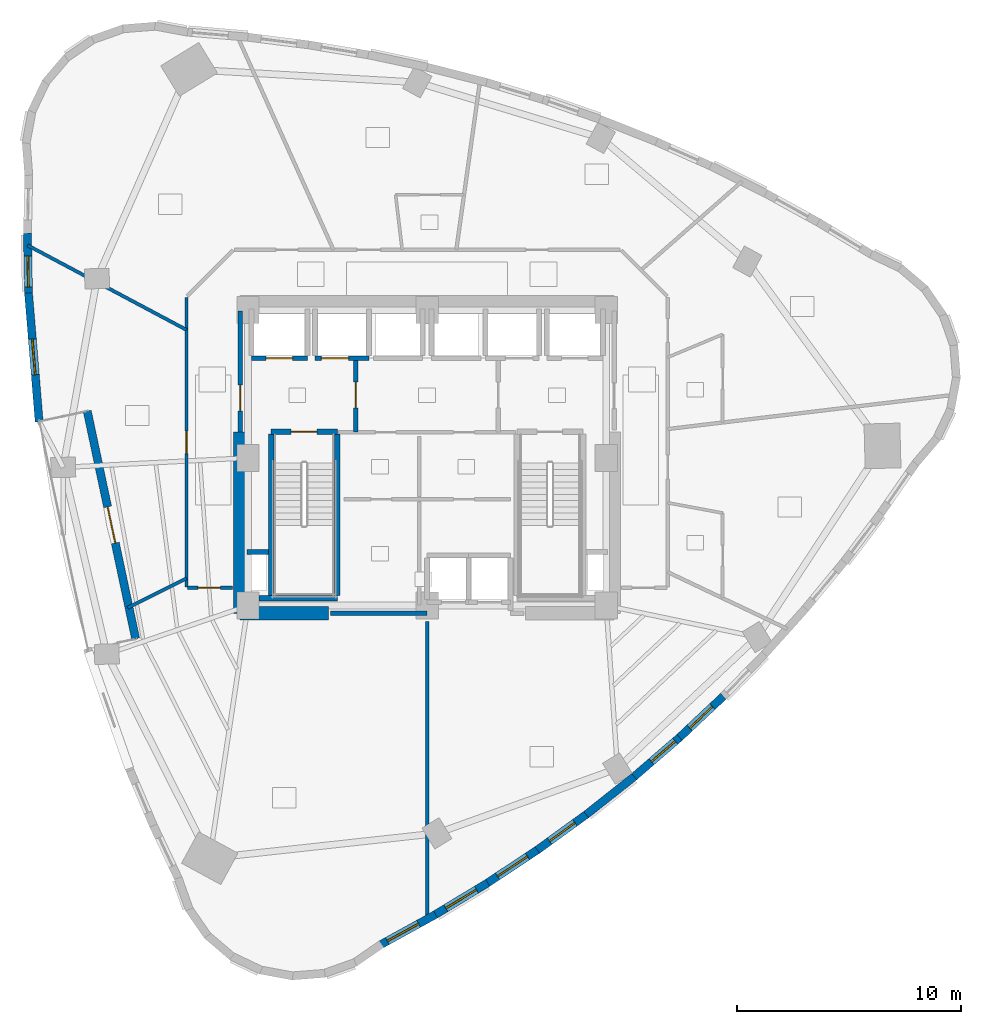
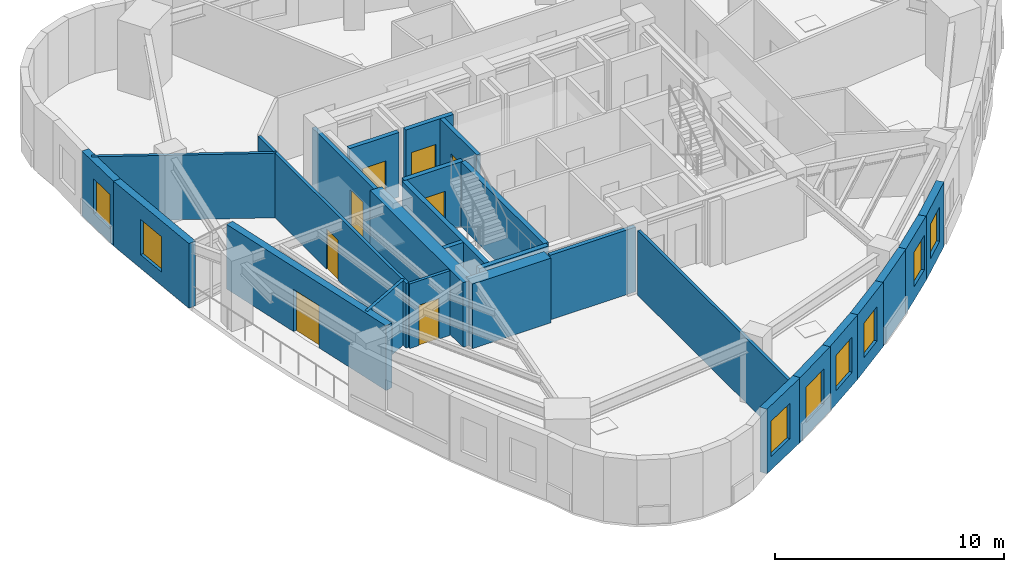
# One storey, part 6 of 12: 27 walls, 8 doors, 8 windows, 16 openings.
"""IFC4 building model written with IfcOpenShell, lengths in metres."""

from ifc_helpers import new_model, si_unit, direction, frame, frame_2d, origin, place, context, subcontext, project, spatial, rectangle, extrude, material, layer, layer_set, type_object, element, fill, save


model = new_model("IFC4")

# Units and contexts
model_context = context("Model", 3, precision=1e-05, world=origin(), true_north=direction((0.0, 1.0)))
body_context = subcontext(model_context, "Body", "Model", "MODEL_VIEW")
ifc_project = project(units=[si_unit("LENGTHUNIT", "METRE"), si_unit("AREAUNIT", "SQUARE_METRE"), si_unit("VOLUMEUNIT", "CUBIC_METRE"), si_unit("PLANEANGLEUNIT", "RADIAN"), si_unit("MASSUNIT", "GRAM", prefix="KILO")], contexts=[model_context])

# Site, building, storey
site_placement = place(None, origin())
site = spatial("IfcSite", under=ifc_project, at=site_placement, CompositionType="ELEMENT")
building_placement = place(site_placement, origin())
building = spatial("IfcBuilding", under=site, at=building_placement, Name="Ndelora Gate Hotel", CompositionType="ELEMENT")
storey_placement = place(building_placement, frame((0.0, 0.0, 164.75)))
storey = spatial("IfcBuildingStorey", under=building, at=storey_placement, Name="L41", CompositionType="ELEMENT", Elevation=164.75)

# Wall, opening, door
ifc_material_1 = material(Name="Clay Brick Masonry", Category="masonry")
ifc_layer_1 = layer(ifc_material_1, 0.360107421875)
ifc_layer_set_1 = layer_set([ifc_layer_1], Name="Clay Brick Masonry")
wall_type_1 = type_object("IfcWallType", Name="WL-BRICK-360", PredefinedType="SOLIDWALL", material=ifc_layer_set_1)
wall_1_placement = place(storey_placement, frame((-13.01953125, -8.08349609375, 0.0), z_axis=(0.0, 0.0, 1.0), x_axis=(-0.207898343446, 0.97815043771, 0.0)))
wall_1 = element("IfcWall", 1, at=wall_1_placement, inside=storey, type_object=wall_type_1, Name="L41 Sky-Garden Loggia Rear Brick Wall", PredefinedType="SOLIDWALL", context=body_context, shape_type="SweptSolid", body=[
    extrude(rectangle(XDim=10.39990234375, YDim=0.360107421875, at=frame_2d((5.199951171875, 0.0))), origin(), (0.0, 0.0, 1.0), 3.43994140625),
])
opening_1_placement = place(wall_1_placement, frame((4.375, 0.0, 0.0)))
opening_1 = element("IfcOpeningElement", 2, at=opening_1_placement, cuts=wall_1, Name="Opening TD1", PredefinedType="OPENING", context=body_context, shape_type="SweptSolid", body=[
    extrude(rectangle(XDim=1.64990234375, YDim=2.25, at=frame_2d((0.824951171875, 1.125))), frame((0.0, 0.18994140625, 0.0), z_axis=(0.0, -1.0, 0.0), x_axis=(1.0, 0.0, 0.0)), (0.0, 0.0, 1.0), 0.380126953125),
])
ifc_material_2 = material(Name="Architectural Bronze Glazed Door", Category="metal")
door_type_1 = type_object("IfcDoorType", Name="DR-TER-1650", OperationType="DOUBLE_DOOR_SINGLE_SWING", PredefinedType="DOOR", material=ifc_material_2)
door_1_placement = place(opening_1_placement, origin())
door_1 = element("IfcDoor", 3, at=door_1_placement, inside=storey, type_object=door_type_1, Name="L41 Sky-Garden Terrace Double Door TD1", OperationType="DOUBLE_DOOR_SINGLE_SWING", OverallHeight=2.25, OverallWidth=1.64990234375, PredefinedType="DOOR", context=body_context, shape_type="SweptSolid", body=[
    extrude(rectangle(XDim=1.64990234375, YDim=2.25, at=frame_2d((0.824951171875, 1.125))), frame((0.0, 0.02490234375, 0.0), z_axis=(0.0, -1.0, 0.0), x_axis=(1.0, 0.0, 0.0)), (0.0, 0.0, 1.0), 0.050048828125),
])
fill(opening_1, door_1)

# Wall, opening, window
wall_2_placement = place(storey_placement, frame((-17.807373046875, 7.3642578125, 0.0), z_axis=(0.0, 0.0, 1.0), x_axis=(-0.017833073331, 0.999840978104, 0.0)))
wall_2 = element("IfcWall", 4, at=wall_2_placement, inside=storey, type_object=wall_type_1, Name="L41 Tower Brick Pier-and-Spandrel Wall TWR-10", PredefinedType="SOLIDWALL", context=body_context, shape_type="SweptSolid", body=[
    extrude(rectangle(XDim=2.669677734375, YDim=0.360107421875, at=frame_2d((1.3349609375, 0.0))), origin(), (0.0, 0.0, 1.0), 3.43994140625),
])
opening_2_placement = place(wall_2_placement, frame((0.260009765625, 0.0, 0.719970703125)))
opening_2 = element("IfcOpeningElement", 5, at=opening_2_placement, cuts=wall_2, Name="Opening W02", PredefinedType="OPENING", context=body_context, shape_type="SweptSolid", body=[
    extrude(rectangle(XDim=1.39990234375, YDim=1.840087890625, at=frame_2d((0.699951171875, 0.919921875))), frame((0.0, 0.18994140625, 0.0), z_axis=(0.0, -1.0, 0.0), x_axis=(1.0, 0.0, 0.0)), (0.0, 0.0, 1.0), 0.380126953125),
])
ifc_material_3 = material(Name="Insulated Low-E Double Glazing in Bronze Aluminium Frame", Category="aluminium")
window_type_1 = type_object("IfcWindowType", Name="WN-DEEP-1400", PartitioningType="SINGLE_PANEL", PredefinedType="WINDOW", material=ifc_material_3)
window_1_placement = place(opening_2_placement, origin())
window_1 = element("IfcWindow", 6, at=window_1_placement, inside=storey, type_object=window_type_1, Name="L41 Deep-Set Brick-Pier Window W02", OverallHeight=1.840087890625, OverallWidth=1.39990234375, PartitioningType="SINGLE_PANEL", PredefinedType="WINDOW", context=body_context, shape_type="SweptSolid", body=[
    extrude(rectangle(XDim=1.39990234375, YDim=1.840087890625, at=frame_2d((0.699951171875, 0.919921875))), frame((0.0, 0.030029296875, 0.0), z_axis=(0.0, -1.0, 0.0), x_axis=(1.0, 0.0, 0.0)), (0.0, 0.0, 1.0), 0.06005859375),
])
fill(opening_2, window_1)

wall_3_placement = place(storey_placement, frame((-17.33154296875, 1.60693359375, 0.0), z_axis=(0.0, 0.0, 1.0), x_axis=(-0.082081459556, 0.996625623791, 0.0)))
wall_3 = element("IfcWall", 7, at=wall_3_placement, inside=storey, type_object=wall_type_1, Name="L41 Tower Brick Pier-and-Spandrel Wall TWR-11", PredefinedType="SOLIDWALL", context=body_context, shape_type="SweptSolid", body=[
    extrude(rectangle(XDim=5.826904296875, YDim=0.360107421875, at=frame_2d((2.91357421875, 0.0))), origin(), (0.0, 0.0, 1.0), 3.43994140625),
])
opening_3_placement = place(wall_3_placement, frame((2.11328125, 0.0, 0.719970703125)))
opening_3 = element("IfcOpeningElement", 8, at=opening_3_placement, cuts=wall_3, Name="Opening W01", PredefinedType="OPENING", context=body_context, shape_type="SweptSolid", body=[
    extrude(rectangle(XDim=1.60009765625, YDim=1.8798828125, at=frame_2d((0.800048828125, 0.93994140625))), frame((0.0, 0.18994140625, 0.0), z_axis=(0.0, -1.0, 0.0), x_axis=(1.0, 0.0, 0.0)), (0.0, 0.0, 1.0), 0.380126953125),
])
window_type_2 = type_object("IfcWindowType", Name="WN-DEEP-1600", PartitioningType="SINGLE_PANEL", PredefinedType="WINDOW", material=ifc_material_3)
window_2_placement = place(opening_3_placement, origin())
window_2 = element("IfcWindow", 9, at=window_2_placement, inside=storey, type_object=window_type_2, Name="L41 Deep-Set Brick-Pier Window W01", OverallHeight=1.8798828125, OverallWidth=1.60009765625, PartitioningType="SINGLE_PANEL", PredefinedType="WINDOW", context=body_context, shape_type="SweptSolid", body=[
    extrude(rectangle(XDim=1.60009765625, YDim=1.8798828125, at=frame_2d((0.800048828125, 0.93994140625))), frame((0.0, 0.030029296875, 0.0), z_axis=(0.0, -1.0, 0.0), x_axis=(1.0, 0.0, 0.0)), (0.0, 0.0, 1.0), 0.06005859375),
])
fill(opening_3, window_2)

wall_4_placement = place(storey_placement, frame((0.376708984375, -20.400146484375, 0.0), z_axis=(0.0, 0.0, 1.0), x_axis=(-0.875996842893, -0.482316836988, 0.0)))
wall_4 = element("IfcWall", 10, at=wall_4_placement, inside=storey, type_object=wall_type_1, Name="L41 Tower Brick Pier-and-Spandrel Wall TWR-27", PredefinedType="SOLIDWALL", context=body_context, shape_type="SweptSolid", body=[
    extrude(rectangle(XDim=2.80126953125, YDim=0.360107421875, at=frame_2d((1.400634765625, 0.0))), origin(), (0.0, 0.0, 1.0), 3.43994140625),
])
opening_4_placement = place(wall_4_placement, frame((0.860107421875, 0.0, 0.719970703125)))
opening_4 = element("IfcOpeningElement", 11, at=opening_4_placement, cuts=wall_4, Name="Opening W01", PredefinedType="OPENING", context=body_context, shape_type="SweptSolid", body=[
    extrude(rectangle(XDim=1.60009765625, YDim=1.8798828125, at=frame_2d((0.800048828125, 0.93994140625))), frame((0.0, 0.18994140625, 0.0), z_axis=(0.0, -1.0, 0.0), x_axis=(1.0, 0.0, 0.0)), (0.0, 0.0, 1.0), 0.380126953125),
])
window_3_placement = place(opening_4_placement, origin())
window_3 = element("IfcWindow", 12, at=window_3_placement, inside=storey, type_object=window_type_2, Name="L41 Deep-Set Brick-Pier Window W01", OverallHeight=1.8798828125, OverallWidth=1.60009765625, PartitioningType="SINGLE_PANEL", PredefinedType="WINDOW", context=body_context, shape_type="SweptSolid", body=[
    extrude(rectangle(XDim=1.60009765625, YDim=1.8798828125, at=frame_2d((0.800048828125, 0.93994140625))), frame((0.0, 0.030029296875, 0.0), z_axis=(0.0, -1.0, 0.0), x_axis=(1.0, 0.0, 0.0)), (0.0, 0.0, 1.0), 0.06005859375),
])
fill(opening_4, window_3)

wall_5_placement = place(storey_placement, frame((2.7099609375, -18.987548828125, 0.0), z_axis=(0.0, 0.0, 1.0), x_axis=(-0.855665001601, -0.517530100609, 0.0)))
wall_5 = element("IfcWall", 13, at=wall_5_placement, inside=storey, type_object=wall_type_1, Name="L41 Tower Brick Pier-and-Spandrel Wall TWR-28", PredefinedType="SOLIDWALL", context=body_context, shape_type="SweptSolid", body=[
    extrude(rectangle(XDim=2.777587890625, YDim=0.360107421875, at=frame_2d((1.388671875, 0.0))), origin(), (0.0, 0.0, 1.0), 3.43994140625),
])
opening_5_placement = place(wall_5_placement, frame((0.5888671875, 0.0, 0.719970703125)))
opening_5 = element("IfcOpeningElement", 14, at=opening_5_placement, cuts=wall_5, Name="Opening W01", PredefinedType="OPENING", context=body_context, shape_type="SweptSolid", body=[
    extrude(rectangle(XDim=1.60009765625, YDim=1.8798828125, at=frame_2d((0.800048828125, 0.93994140625))), frame((0.0, 0.18994140625, 0.0), z_axis=(0.0, -1.0, 0.0), x_axis=(1.0, 0.0, 0.0)), (0.0, 0.0, 1.0), 0.380126953125),
])
window_4_placement = place(opening_5_placement, origin())
window_4 = element("IfcWindow", 15, at=window_4_placement, inside=storey, type_object=window_type_2, Name="L41 Deep-Set Brick-Pier Window W01", OverallHeight=1.8798828125, OverallWidth=1.60009765625, PartitioningType="SINGLE_PANEL", PredefinedType="WINDOW", context=body_context, shape_type="SweptSolid", body=[
    extrude(rectangle(XDim=1.60009765625, YDim=1.8798828125, at=frame_2d((0.800048828125, 0.93994140625))), frame((0.0, 0.030029296875, 0.0), z_axis=(0.0, -1.0, 0.0), x_axis=(1.0, 0.0, 0.0)), (0.0, 0.0, 1.0), 0.06005859375),
])
fill(opening_5, window_4)

wall_6_placement = place(storey_placement, frame((4.966796875, -17.490234375, 0.0), z_axis=(0.0, 0.0, 1.0), x_axis=(-0.833518031842, -0.552492253877, 0.0)))
wall_6 = element("IfcWall", 16, at=wall_6_placement, inside=storey, type_object=wall_type_1, Name="L41 Tower Brick Pier-and-Spandrel Wall TWR-29", PredefinedType="SOLIDWALL", context=body_context, shape_type="SweptSolid", body=[
    extrude(rectangle(XDim=2.75830078125, YDim=0.360107421875, at=frame_2d((1.379150390625, 0.0))), origin(), (0.0, 0.0, 1.0), 3.43994140625),
])
opening_6_placement = place(wall_6_placement, frame((0.5791015625, 0.0, 0.719970703125)))
opening_6 = element("IfcOpeningElement", 17, at=opening_6_placement, cuts=wall_6, Name="Opening W03", PredefinedType="OPENING", context=body_context, shape_type="SweptSolid", body=[
    extrude(rectangle(XDim=1.60009765625, YDim=1.8798828125, at=frame_2d((0.800048828125, 0.93994140625))), frame((0.0, 0.18994140625, 0.0), z_axis=(0.0, -1.0, 0.0), x_axis=(1.0, 0.0, 0.0)), (0.0, 0.0, 1.0), 0.380126953125),
])
window_type_3 = type_object("IfcWindowType", Name="WN-CORN-2100", PartitioningType="SINGLE_PANEL", PredefinedType="WINDOW", material=ifc_material_3)
window_5_placement = place(opening_6_placement, origin())
window_5 = element("IfcWindow", 18, at=window_5_placement, inside=storey, type_object=window_type_3, Name="L41 Deep-Set Brick-Pier Window W03", OverallHeight=1.8798828125, OverallWidth=1.60009765625, PartitioningType="SINGLE_PANEL", PredefinedType="WINDOW", context=body_context, shape_type="SweptSolid", body=[
    extrude(rectangle(XDim=1.60009765625, YDim=1.8798828125, at=frame_2d((0.800048828125, 0.93994140625))), frame((0.0, 0.030029296875, 0.0), z_axis=(0.0, -1.0, 0.0), x_axis=(1.0, 0.0, 0.0)), (0.0, 0.0, 1.0), 0.06005859375),
])
fill(opening_6, window_5)

wall_7_placement = place(storey_placement, frame((7.147705078125, -15.908447265625, 0.0), z_axis=(0.0, 0.0, 1.0), x_axis=(-0.809704504409, -0.58683781025, 0.0)))
wall_7 = element("IfcWall", 19, at=wall_7_placement, inside=storey, type_object=wall_type_1, Name="L41 Tower Brick Pier-and-Spandrel Wall TWR-30", PredefinedType="SOLIDWALL", context=body_context, shape_type="SweptSolid", body=[
    extrude(rectangle(XDim=2.744140625, YDim=0.360107421875, at=frame_2d((1.3720703125, 0.0))), origin(), (0.0, 0.0, 1.0), 3.43994140625),
])
opening_7_placement = place(wall_7_placement, frame((0.672119140625, 0.0, 0.719970703125)))
opening_7 = element("IfcOpeningElement", 20, at=opening_7_placement, cuts=wall_7, Name="Opening W02", PredefinedType="OPENING", context=body_context, shape_type="SweptSolid", body=[
    extrude(rectangle(XDim=1.39990234375, YDim=1.840087890625, at=frame_2d((0.699951171875, 0.919921875))), frame((0.0, 0.18994140625, 0.0), z_axis=(0.0, -1.0, 0.0), x_axis=(1.0, 0.0, 0.0)), (0.0, 0.0, 1.0), 0.380126953125),
])
window_6_placement = place(opening_7_placement, origin())
window_6 = element("IfcWindow", 21, at=window_6_placement, inside=storey, type_object=window_type_1, Name="L41 Deep-Set Brick-Pier Window W02", OverallHeight=1.840087890625, OverallWidth=1.39990234375, PartitioningType="SINGLE_PANEL", PredefinedType="WINDOW", context=body_context, shape_type="SweptSolid", body=[
    extrude(rectangle(XDim=1.39990234375, YDim=1.840087890625, at=frame_2d((0.699951171875, 0.919921875))), frame((0.0, 0.030029296875, 0.0), z_axis=(0.0, -1.0, 0.0), x_axis=(1.0, 0.0, 0.0)), (0.0, 0.0, 1.0), 0.06005859375),
])
fill(opening_7, window_6)

# Wall
wall_8_placement = place(storey_placement, frame((9.252197265625, -14.241943359375, 0.0), z_axis=(0.0, 0.0, 1.0), x_axis=(-0.784185210377, -0.620526837313, 0.0)))
element("IfcWall", 22, at=wall_8_placement, inside=storey, type_object=wall_type_1, Name="L41 Tower Brick Pier-and-Spandrel Wall TWR-31", PredefinedType="SOLIDWALL", context=body_context, shape_type="SweptSolid", body=[
    extrude(rectangle(XDim=2.734375, YDim=0.360107421875, at=frame_2d((1.3671875, 0.0))), origin(), (0.0, 0.0, 1.0), 3.43994140625),
])

# Wall, opening, window
wall_9_placement = place(storey_placement, frame((11.280517578125, -12.490966796875, 0.0), z_axis=(0.0, 0.0, 1.0), x_axis=(-0.757245201668, -0.653130694847, 0.0)))
wall_9 = element("IfcWall", 23, at=wall_9_placement, inside=storey, type_object=wall_type_1, Name="L41 Tower Brick Pier-and-Spandrel Wall TWR-32", PredefinedType="SOLIDWALL", context=body_context, shape_type="SweptSolid", body=[
    extrude(rectangle(XDim=2.7294921875, YDim=0.360107421875, at=frame_2d((1.36474609375, 0.0))), origin(), (0.0, 0.0, 1.0), 3.43994140625),
])
opening_8_placement = place(wall_9_placement, frame((0.260009765625, 0.0, 0.719970703125)))
opening_8 = element("IfcOpeningElement", 24, at=opening_8_placement, cuts=wall_9, Name="Opening W02", PredefinedType="OPENING", context=body_context, shape_type="SweptSolid", body=[
    extrude(rectangle(XDim=1.39990234375, YDim=1.840087890625, at=frame_2d((0.699951171875, 0.919921875))), frame((0.0, 0.18994140625, 0.0), z_axis=(0.0, -1.0, 0.0), x_axis=(1.0, 0.0, 0.0)), (0.0, 0.0, 1.0), 0.380126953125),
])
window_7_placement = place(opening_8_placement, origin())
window_7 = element("IfcWindow", 25, at=window_7_placement, inside=storey, type_object=window_type_1, Name="L41 Deep-Set Brick-Pier Window W02", OverallHeight=1.840087890625, OverallWidth=1.39990234375, PartitioningType="SINGLE_PANEL", PredefinedType="WINDOW", context=body_context, shape_type="SweptSolid", body=[
    extrude(rectangle(XDim=1.39990234375, YDim=1.840087890625, at=frame_2d((0.699951171875, 0.919921875))), frame((0.0, 0.030029296875, 0.0), z_axis=(0.0, -1.0, 0.0), x_axis=(1.0, 0.0, 0.0)), (0.0, 0.0, 1.0), 0.06005859375),
])
fill(opening_8, window_7)

wall_10_placement = place(storey_placement, frame((13.232421875, -10.6552734375, 0.0), z_axis=(0.0, 0.0, 1.0), x_axis=(-0.728724972473, -0.684806479594, 0.0)))
wall_10 = element("IfcWall", 26, at=wall_10_placement, inside=storey, type_object=wall_type_1, Name="L41 Tower Brick Pier-and-Spandrel Wall TWR-33", PredefinedType="SOLIDWALL", context=body_context, shape_type="SweptSolid", body=[
    extrude(rectangle(XDim=2.7294921875, YDim=0.360107421875, at=frame_2d((1.36474609375, 0.0))), origin(), (0.0, 0.0, 1.0), 3.43994140625),
])
opening_9_placement = place(wall_10_placement, frame((0.664794921875, 0.0, 0.719970703125)))
opening_9 = element("IfcOpeningElement", 27, at=opening_9_placement, cuts=wall_10, Name="Opening W02", PredefinedType="OPENING", context=body_context, shape_type="SweptSolid", body=[
    extrude(rectangle(XDim=1.39990234375, YDim=1.840087890625, at=frame_2d((0.699951171875, 0.919921875))), frame((0.0, 0.18994140625, 0.0), z_axis=(0.0, -1.0, 0.0), x_axis=(1.0, 0.0, 0.0)), (0.0, 0.0, 1.0), 0.380126953125),
])
window_8_placement = place(opening_9_placement, origin())
window_8 = element("IfcWindow", 28, at=window_8_placement, inside=storey, type_object=window_type_1, Name="L41 Deep-Set Brick-Pier Window W02", OverallHeight=1.840087890625, OverallWidth=1.39990234375, PartitioningType="SINGLE_PANEL", PredefinedType="WINDOW", context=body_context, shape_type="SweptSolid", body=[
    extrude(rectangle(XDim=1.39990234375, YDim=1.840087890625, at=frame_2d((0.699951171875, 0.919921875))), frame((0.0, 0.030029296875, 0.0), z_axis=(0.0, -1.0, 0.0), x_axis=(1.0, 0.0, 0.0)), (0.0, 0.0, 1.0), 0.06005859375),
])
fill(opening_9, window_8)

# Walls
ifc_material_4 = material(Name="Concrete C60/75", Category="concrete")
ifc_layer_2 = layer(ifc_material_4, 0.60009765625)
ifc_layer_set_2 = layer_set([ifc_layer_2], Name="Concrete C60/75")
wall_type_2 = type_object("IfcWallType", Name="WL-CORE-600", PredefinedType="SHEAR", material=ifc_layer_set_2)
wall_11_placement = place(storey_placement, frame((-8.35009765625, -6.949951171875, 0.0), z_axis=(0.0, 0.0, 1.0), x_axis=(1.0, 0.0, 0.0)))
element("IfcWall", 29, at=wall_11_placement, inside=storey, type_object=wall_type_2, Name="L41 Core Shear Wall S-W", PredefinedType="SHEAR", context=body_context, shape_type="SweptSolid", body=[
    extrude(rectangle(XDim=3.9501953125, YDim=0.60009765625, at=frame_2d((1.97509765625, 0.0))), origin(), (0.0, 0.0, 1.0), 3.43994140625),
])
wall_12_placement = place(storey_placement, frame((-8.35009765625, -6.949951171875, 0.0), z_axis=(0.0, 0.0, 1.0), x_axis=(0.0, 1.0, 0.0)))
element("IfcWall", 30, at=wall_12_placement, inside=storey, type_object=wall_type_2, Name="L41 Core Shear Wall W", PredefinedType="SHEAR", context=body_context, shape_type="SweptSolid", body=[
    extrude(rectangle(XDim=8.099853515625, YDim=0.60009765625, at=frame_2d((4.0498046875, 0.0))), origin(), (0.0, 0.0, 1.0), 3.43994140625),
])

# Wall, opening, door
ifc_material_5 = material(Name="Concrete C40/50", Category="concrete")
ifc_layer_3 = layer(ifc_material_5, 0.199951171875)
ifc_layer_set_3 = layer_set([ifc_layer_3], Name="Concrete C40/50")
wall_type_3 = type_object("IfcWallType", Name="WL-FIRE-200", PredefinedType="PARTITIONING", material=ifc_layer_set_3)
wall_13_placement = place(storey_placement, frame((-3.179931640625, 1.14990234375, 0.0), z_axis=(0.0, 0.0, 1.0), x_axis=(0.0, 1.0, 0.0)))
wall_13 = element("IfcWall", 31, at=wall_13_placement, inside=storey, type_object=wall_type_3, Name="L41 Interior Wall IW-2", PredefinedType="PARTITIONING", context=body_context, shape_type="SweptSolid", body=[
    extrude(rectangle(XDim=3.300048828125, YDim=0.199951171875, at=frame_2d((1.64990234375, 0.0))), origin(), (0.0, 0.0, 1.0), 3.43994140625),
])
opening_10_placement = place(wall_13_placement, frame((1.080078125, 0.0, 0.0)))
opening_10 = element("IfcOpeningElement", 32, at=opening_10_placement, cuts=wall_13, Name="Opening FD1", PredefinedType="OPENING", context=body_context, shape_type="SweptSolid", body=[
    extrude(rectangle(XDim=1.14990234375, YDim=2.14990234375, at=frame_2d((0.574951171875, 1.074951171875))), frame((0.0, 0.10986328125, 0.0), z_axis=(0.0, -1.0, 0.0), x_axis=(1.0, 0.0, 0.0)), (0.0, 0.0, 1.0), 0.219970703125),
])
ifc_material_6 = material(Name="Fire-Rated Timber-Veneer Steel Core", Category="steel")
door_type_2 = type_object("IfcDoorType", Name="DR-FD60", OperationType="SINGLE_SWING_LEFT", PredefinedType="DOOR", material=ifc_material_6)
door_2_placement = place(opening_10_placement, origin())
door_2 = element("IfcDoor", 33, at=door_2_placement, inside=storey, type_object=door_type_2, Name="L41 Firefighting Lobby West Door", OperationType="SINGLE_SWING_RIGHT", OverallHeight=2.14990234375, OverallWidth=1.14990234375, PredefinedType="DOOR", context=body_context, shape_type="SweptSolid", body=[
    extrude(rectangle(XDim=1.14990234375, YDim=2.14990234375, at=frame_2d((0.574951171875, 1.074951171875))), frame((0.0, 0.02490234375, 0.0), z_axis=(0.0, -1.0, 0.0), x_axis=(1.0, 0.0, 0.0)), (0.0, 0.0, 1.0), 0.050048828125),
])
fill(opening_10, door_2)

wall_14_placement = place(storey_placement, frame((-8.35009765625, 1.14990234375, 0.0), z_axis=(0.0, 0.0, 1.0), x_axis=(0.0, 1.0, 0.0)))
wall_14 = element("IfcWall", 34, at=wall_14_placement, inside=storey, type_object=wall_type_3, Name="L41 Interior Wall IW-2", PredefinedType="PARTITIONING", context=body_context, shape_type="SweptSolid", body=[
    extrude(rectangle(XDim=5.400146484375, YDim=0.199951171875, at=frame_2d((2.7001953125, 0.0))), origin(), (0.0, 0.0, 1.0), 3.43994140625),
])
opening_11_placement = place(wall_14_placement, frame((0.949951171875, 0.0, 0.0)))
opening_11 = element("IfcOpeningElement", 35, at=opening_11_placement, cuts=wall_14, Name="Opening FD1", PredefinedType="OPENING", context=body_context, shape_type="SweptSolid", body=[
    extrude(rectangle(XDim=1.14990234375, YDim=2.14990234375, at=frame_2d((0.574951171875, 1.074951171875))), frame((0.0, 0.10986328125, 0.0), z_axis=(0.0, -1.0, 0.0), x_axis=(1.0, 0.0, 0.0)), (0.0, 0.0, 1.0), 0.219970703125),
])
door_3_placement = place(opening_11_placement, origin())
door_3 = element("IfcDoor", 36, at=door_3_placement, inside=storey, type_object=door_type_2, Name="L41 Firefighting Lobby West Corridor Door", OperationType="SINGLE_SWING_LEFT", OverallHeight=2.14990234375, OverallWidth=1.14990234375, PredefinedType="DOOR", context=body_context, shape_type="SweptSolid", body=[
    extrude(rectangle(XDim=1.14990234375, YDim=2.14990234375, at=frame_2d((0.574951171875, 1.074951171875))), frame((0.0, 0.02490234375, 0.0), z_axis=(0.0, -1.0, 0.0), x_axis=(1.0, 0.0, 0.0)), (0.0, 0.0, 1.0), 0.050048828125),
])
fill(opening_11, door_3)

# Wall
wall_15_placement = place(storey_placement, frame((-4.320068359375, -6.949951171875, 0.0), z_axis=(0.0, 0.0, 1.0), x_axis=(1.0, 0.0, 0.0)))
element("IfcWall", 37, at=wall_15_placement, inside=storey, type_object=wall_type_3, Name="L41 Interior Wall IW-2", PredefinedType="PARTITIONING", context=body_context, shape_type="SweptSolid", body=[
    extrude(rectangle(XDim=4.320068359375, YDim=0.199951171875, at=frame_2d((2.16015625, 0.0))), origin(), (0.0, 0.0, 1.0), 3.43994140625),
])

# Wall, opening, door
ifc_material_7 = material(Name="Fire-Rated Gypsum Stud Partition", Category="gypsum")
ifc_layer_4 = layer(ifc_material_7, 0.14990234375)
ifc_layer_set_4 = layer_set([ifc_layer_4], Name="Fire-Rated Gypsum Stud Partition")
wall_type_4 = type_object("IfcWallType", Name="WL-PART-150", PredefinedType="PARTITIONING", material=ifc_layer_set_4)
wall_16_placement = place(storey_placement, frame((-8.68994140625, -5.800048828125, 0.0), z_axis=(0.0, 0.0, 1.0), x_axis=(-1.0, 0.0, 0.0)))
wall_16 = element("IfcWall", 38, at=wall_16_placement, inside=storey, type_object=wall_type_4, Name="L41 Interior Wall IW-5", PredefinedType="PARTITIONING", context=body_context, shape_type="SweptSolid", body=[
    extrude(rectangle(XDim=2.02001953125, YDim=0.14990234375, at=frame_2d((1.010009765625, 0.0))), origin(), (0.0, 0.0, 1.0), 3.43994140625),
])
opening_12_placement = place(wall_16_placement, frame((0.550048828125, 0.0, 0.0)))
opening_12 = element("IfcOpeningElement", 39, at=opening_12_placement, cuts=wall_16, Name="Opening D01", PredefinedType="OPENING", context=body_context, shape_type="SweptSolid", body=[
    extrude(rectangle(XDim=1.0, YDim=2.14990234375, at=frame_2d((0.5, 1.074951171875))), frame((0.0, 0.0849609375, 0.0), z_axis=(0.0, -1.0, 0.0), x_axis=(1.0, 0.0, 0.0)), (0.0, 0.0, 1.0), 0.169921875),
])
ifc_material_8 = material(Name="Acoustic Hardwood Guest Entrance Door", Category="wood")
door_type_3 = type_object("IfcDoorType", Name="DR-COR-1000", OperationType="SINGLE_SWING_LEFT", PredefinedType="DOOR", material=ifc_material_8)
door_4_placement = place(opening_12_placement, origin())
door_4 = element("IfcDoor", 40, at=door_4_placement, inside=storey, type_object=door_type_3, Name="L41 Executive Club Dining Room Entrance Door", OperationType="SINGLE_SWING_LEFT", OverallHeight=2.14990234375, OverallWidth=1.0, PredefinedType="DOOR", context=body_context, shape_type="SweptSolid", body=[
    extrude(rectangle(XDim=1.0, YDim=2.14990234375, at=frame_2d((0.5, 1.074951171875))), frame((0.0, 0.02490234375, 0.0), z_axis=(0.0, -1.0, 0.0), x_axis=(1.0, 0.0, 0.0)), (0.0, 0.0, 1.0), 0.050048828125),
])
fill(opening_12, door_4)

wall_17_placement = place(storey_placement, frame((-10.75, -5.760009765625, 0.0), z_axis=(0.0, 0.0, 1.0), x_axis=(0.0, 1.0, 0.0)))
wall_17 = element("IfcWall", 41, at=wall_17_placement, inside=storey, type_object=wall_type_4, Name="L41 Interior Wall IW-5", PredefinedType="PARTITIONING", context=body_context, shape_type="SweptSolid", body=[
    extrude(rectangle(XDim=12.919921875, YDim=0.14990234375, at=frame_2d((6.4599609375, 0.0))), origin(), (0.0, 0.0, 1.0), 3.43994140625),
])
opening_13_placement = place(wall_17_placement, frame((5.950439453125, 0.0, 0.0)))
opening_13 = element("IfcOpeningElement", 42, at=opening_13_placement, cuts=wall_17, Name="Opening D01", PredefinedType="OPENING", context=body_context, shape_type="SweptSolid", body=[
    extrude(rectangle(XDim=1.0, YDim=2.14990234375, at=frame_2d((0.5, 1.074951171875))), frame((0.0, 0.0849609375, 0.0), z_axis=(0.0, -1.0, 0.0), x_axis=(1.0, 0.0, 0.0)), (0.0, 0.0, 1.0), 0.169921875),
])
door_5_placement = place(opening_13_placement, origin())
door_5 = element("IfcDoor", 43, at=door_5_placement, inside=storey, type_object=door_type_3, Name="L41 Sky Garden Tea Dining Room Entrance Door", OperationType="SINGLE_SWING_RIGHT", OverallHeight=2.14990234375, OverallWidth=1.0, PredefinedType="DOOR", context=body_context, shape_type="SweptSolid", body=[
    extrude(rectangle(XDim=1.0, YDim=2.14990234375, at=frame_2d((0.5, 1.074951171875))), frame((0.0, 0.02490234375, 0.0), z_axis=(0.0, -1.0, 0.0), x_axis=(1.0, 0.0, 0.0)), (0.0, 0.0, 1.0), 0.050048828125),
])
fill(opening_13, door_5)

# Walls
wall_18_placement = place(storey_placement, frame((-10.75, -5.38330078125, 0.0), z_axis=(0.0, 0.0, 1.0), x_axis=(-0.894160863769, -0.447745853922, 0.0)))
element("IfcWall", 44, at=wall_18_placement, inside=storey, type_object=wall_type_4, Name="L41 Interior Wall IW-5", PredefinedType="PARTITIONING", context=body_context, shape_type="SweptSolid", body=[
    extrude(rectangle(XDim=2.93505859375, YDim=0.14990234375, at=frame_2d((1.467529296875, 0.0))), origin(), (0.0, 0.0, 1.0), 3.43994140625),
])
wall_19_placement = place(storey_placement, frame((0.0, -7.320068359375, 0.0), z_axis=(0.0, 0.0, 1.0), x_axis=(0.0, -1.0, 0.0)))
element("IfcWall", 45, at=wall_19_placement, inside=storey, type_object=wall_type_4, Name="L41 Interior Wall IW-5", PredefinedType="PARTITIONING", context=body_context, shape_type="SweptSolid", body=[
    extrude(rectangle(XDim=13.287353515625, YDim=0.14990234375, at=frame_2d((6.6435546875, 0.0))), origin(), (0.0, 0.0, 1.0), 3.43994140625),
])
wall_20_placement = place(storey_placement, frame((-10.75, 5.718994140625, 0.0), z_axis=(0.0, 0.0, 1.0), x_axis=(-0.882835139179, 0.469682996318, 0.0)))
element("IfcWall", 46, at=wall_20_placement, inside=storey, type_object=wall_type_4, Name="L41 Interior Wall IW-5", PredefinedType="PARTITIONING", context=body_context, shape_type="SweptSolid", body=[
    extrude(rectangle(XDim=8.037109375, YDim=0.14990234375, at=frame_2d((4.0185546875, 0.0))), origin(), (0.0, 0.0, 1.0), 3.43994140625),
])
ifc_layer_5 = layer(ifc_material_5, 0.219970703125)
ifc_layer_set_5 = layer_set([ifc_layer_5], Name="Concrete C40/50")
wall_type_5 = type_object("IfcWallType", Name="WL-SHAFT-220", PredefinedType="PARTITIONING", material=ifc_layer_set_5)
wall_21_placement = place(storey_placement, frame((-8.050048828125, -4.199951171875, 0.0), z_axis=(0.0, 0.0, 1.0), x_axis=(1.0, 0.0, 0.0)))
element("IfcWall", 47, at=wall_21_placement, inside=storey, type_object=wall_type_5, Name="L41 Interior Wall IW-1", PredefinedType="PARTITIONING", context=body_context, shape_type="SweptSolid", body=[
    extrude(rectangle(XDim=0.9599609375, YDim=0.219970703125, at=frame_2d((0.47998046875, 0.0))), origin(), (0.0, 0.0, 1.0), 3.43994140625),
])

# Wall, opening, door
wall_22_placement = place(storey_placement, frame((-7.85009765625, 4.449951171875, 0.0), z_axis=(0.0, 0.0, 1.0), x_axis=(1.0, 0.0, 0.0)))
wall_22 = element("IfcWall", 48, at=wall_22_placement, inside=storey, type_object=wall_type_5, Name="L41 Interior Wall IW-1", PredefinedType="PARTITIONING", context=body_context, shape_type="SweptSolid", body=[
    extrude(rectangle(XDim=2.5, YDim=0.219970703125, at=frame_2d((1.25, 0.0))), origin(), (0.0, 0.0, 1.0), 3.43994140625),
])
opening_14_placement = place(wall_22_placement, frame((0.659912109375, 0.0, 0.0)))
opening_14 = element("IfcOpeningElement", 49, at=opening_14_placement, cuts=wall_22, Name="Opening LD5", PredefinedType="OPENING", context=body_context, shape_type="SweptSolid", body=[
    extrude(rectangle(XDim=1.179931640625, YDim=2.14990234375, at=frame_2d((0.58984375, 1.074951171875))), frame((0.0, 0.1201171875, 0.0), z_axis=(0.0, -1.0, 0.0), x_axis=(1.0, 0.0, 0.0)), (0.0, 0.0, 1.0), 0.239990234375),
])
ifc_material_9 = material(Name="Firefighting Lift Stainless Sliding Landing Door", Category="metal")
door_type_4 = type_object("IfcDoorType", Name="DR-LD5", OperationType="DOUBLE_DOOR_SLIDING", PredefinedType="DOOR", material=ifc_material_9)
door_6_placement = place(opening_14_placement, origin())
door_6 = element("IfcDoor", 50, at=door_6_placement, inside=storey, type_object=door_type_4, Name="L41 Lift Landing Sliding Door FFL1", OperationType="DOUBLE_DOOR_SLIDING", OverallHeight=2.14990234375, OverallWidth=1.179931640625, PredefinedType="DOOR", context=body_context, shape_type="SweptSolid", body=[
    extrude(rectangle(XDim=1.179931640625, YDim=2.14990234375, at=frame_2d((0.58984375, 1.074951171875))), frame((0.0, 0.02490234375, 0.0), z_axis=(0.0, -1.0, 0.0), x_axis=(1.0, 0.0, 0.0)), (0.0, 0.0, 1.0), 0.050048828125),
])
fill(opening_14, door_6)

wall_23_placement = place(storey_placement, frame((-5.0, 4.449951171875, 0.0), z_axis=(0.0, 0.0, 1.0), x_axis=(1.0, 0.0, 0.0)))
wall_23 = element("IfcWall", 51, at=wall_23_placement, inside=storey, type_object=wall_type_5, Name="L41 Interior Wall IW-1", PredefinedType="PARTITIONING", context=body_context, shape_type="SweptSolid", body=[
    extrude(rectangle(XDim=2.39990234375, YDim=0.219970703125, at=frame_2d((1.199951171875, 0.0))), origin(), (0.0, 0.0, 1.0), 3.43994140625),
])
opening_15_placement = place(wall_23_placement, frame((0.280029296875, 0.0, 0.0)))
opening_15 = element("IfcOpeningElement", 52, at=opening_15_placement, cuts=wall_23, Name="Opening LD6", PredefinedType="OPENING", context=body_context, shape_type="SweptSolid", body=[
    extrude(rectangle(XDim=1.219970703125, YDim=2.14990234375, at=frame_2d((0.60986328125, 1.074951171875))), frame((0.0, 0.1201171875, 0.0), z_axis=(0.0, -1.0, 0.0), x_axis=(1.0, 0.0, 0.0)), (0.0, 0.0, 1.0), 0.239990234375),
])
ifc_material_10 = material(Name="Heavy-Duty Service Lift Sliding Landing Door", Category="wood")
door_type_5 = type_object("IfcDoorType", Name="DR-LD6", OperationType="DOUBLE_DOOR_SLIDING", PredefinedType="DOOR", material=ifc_material_10)
door_7_placement = place(opening_15_placement, origin())
door_7 = element("IfcDoor", 53, at=door_7_placement, inside=storey, type_object=door_type_5, Name="L41 Lift Landing Sliding Door SVL1", OperationType="DOUBLE_DOOR_SLIDING", OverallHeight=2.14990234375, OverallWidth=1.219970703125, PredefinedType="DOOR", context=body_context, shape_type="SweptSolid", body=[
    extrude(rectangle(XDim=1.219970703125, YDim=2.14990234375, at=frame_2d((0.60986328125, 1.074951171875))), frame((0.0, 0.02490234375, 0.0), z_axis=(0.0, -1.0, 0.0), x_axis=(1.0, 0.0, 0.0)), (0.0, 0.0, 1.0), 0.050048828125),
])
fill(opening_15, door_7)

# Walls
ifc_material_11 = material(Name="Concrete C50/60", Category="concrete")
ifc_layer_6 = layer(ifc_material_11, 0.239990234375)
ifc_layer_set_6 = layer_set([ifc_layer_6], Name="Concrete C50/60")
wall_type_6 = type_object("IfcWallType", Name="WL-STAIR-240", PredefinedType="SHEAR", material=ifc_layer_set_6)
wall_24_placement = place(storey_placement, frame((-6.969970703125, -6.159912109375, 0.0), z_axis=(0.0, 0.0, 1.0), x_axis=(0.0, 1.0, 0.0)))
element("IfcWall", 54, at=wall_24_placement, inside=storey, type_object=wall_type_6, Name="L41 Stair Core Shear Wall SW-ST", PredefinedType="SHEAR", context=body_context, shape_type="SweptSolid", body=[
    extrude(rectangle(XDim=7.219970703125, YDim=0.239990234375, at=frame_2d((3.60986328125, 0.0))), origin(), (0.0, 0.0, 1.0), 3.43994140625),
])
wall_25_placement = place(storey_placement, frame((-7.5, -6.27001953125, 0.0), z_axis=(0.0, 0.0, 1.0), x_axis=(1.0, 0.0, 0.0)))
element("IfcWall", 55, at=wall_25_placement, inside=storey, type_object=wall_type_6, Name="L41 Stair Core Shear Wall SW-ST", PredefinedType="SHEAR", context=body_context, shape_type="SweptSolid", body=[
    extrude(rectangle(XDim=3.489990234375, YDim=0.239990234375, at=frame_2d((1.7451171875, 0.0))), origin(), (0.0, 0.0, 1.0), 3.43994140625),
])
wall_26_placement = place(storey_placement, frame((-4.010009765625, -6.159912109375, 0.0), z_axis=(0.0, 0.0, 1.0), x_axis=(0.0, 1.0, 0.0)))
element("IfcWall", 56, at=wall_26_placement, inside=storey, type_object=wall_type_6, Name="L41 Stair Core Shear Wall SW-ST", PredefinedType="SHEAR", context=body_context, shape_type="SweptSolid", body=[
    extrude(rectangle(XDim=7.219970703125, YDim=0.239990234375, at=frame_2d((3.60986328125, 0.0))), origin(), (0.0, 0.0, 1.0), 3.43994140625),
])

# Wall, opening, door
wall_27_placement = place(storey_placement, frame((-6.969970703125, 1.169921875, 0.0), z_axis=(0.0, 0.0, 1.0), x_axis=(1.0, 0.0, 0.0)))
wall_27 = element("IfcWall", 57, at=wall_27_placement, inside=storey, type_object=wall_type_6, Name="L41 Stair Core Shear Wall SW-ST", PredefinedType="SHEAR", context=body_context, shape_type="SweptSolid", body=[
    extrude(rectangle(XDim=2.9599609375, YDim=0.239990234375, at=frame_2d((1.47998046875, 0.0))), origin(), (0.0, 0.0, 1.0), 3.43994140625),
])
opening_16_placement = place(wall_27_placement, frame((0.89990234375, 0.0, 0.0)))
opening_16 = element("IfcOpeningElement", 58, at=opening_16_placement, cuts=wall_27, Name="Opening FD1", PredefinedType="OPENING", context=body_context, shape_type="SweptSolid", body=[
    extrude(rectangle(XDim=1.14990234375, YDim=2.14990234375, at=frame_2d((0.574951171875, 1.074951171875))), frame((0.0, 0.1298828125, 0.0), z_axis=(0.0, -1.0, 0.0), x_axis=(1.0, 0.0, 0.0)), (0.0, 0.0, 1.0), 0.260009765625),
])
door_8_placement = place(opening_16_placement, origin())
door_8 = element("IfcDoor", 59, at=door_8_placement, inside=storey, type_object=door_type_2, Name="L41 Exit Stair ST4 Door", OperationType="SINGLE_SWING_LEFT", OverallHeight=2.14990234375, OverallWidth=1.14990234375, PredefinedType="DOOR", context=body_context, shape_type="SweptSolid", body=[
    extrude(rectangle(XDim=1.14990234375, YDim=2.14990234375, at=frame_2d((0.574951171875, 1.074951171875))), frame((0.0, 0.02490234375, 0.0), z_axis=(0.0, -1.0, 0.0), x_axis=(1.0, 0.0, 0.0)), (0.0, 0.0, 1.0), 0.050048828125),
])
fill(opening_16, door_8)

save(model, "model.ifc")
